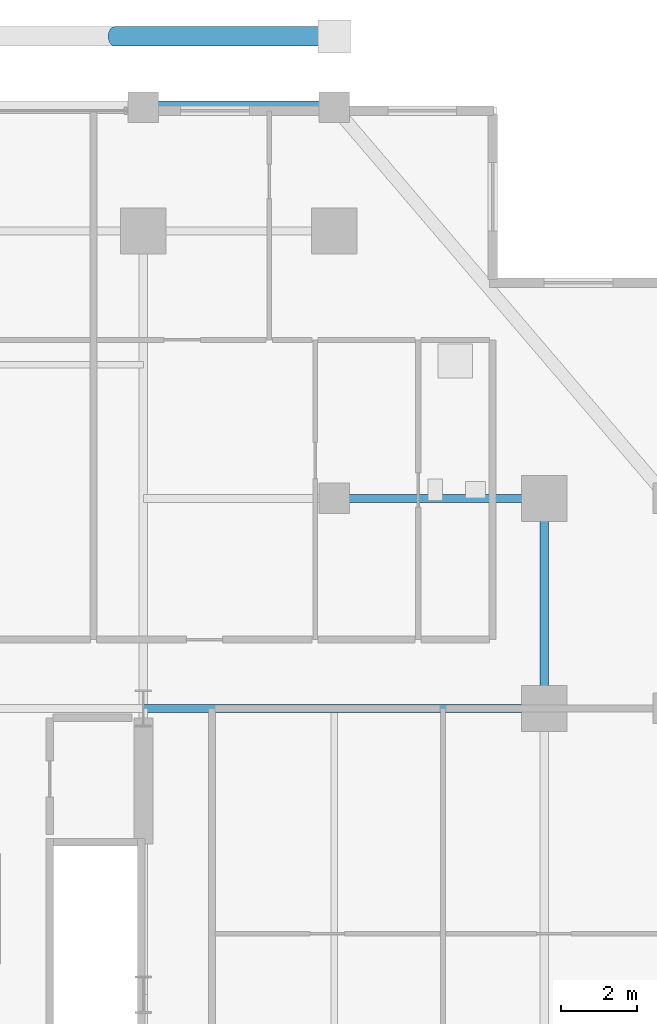
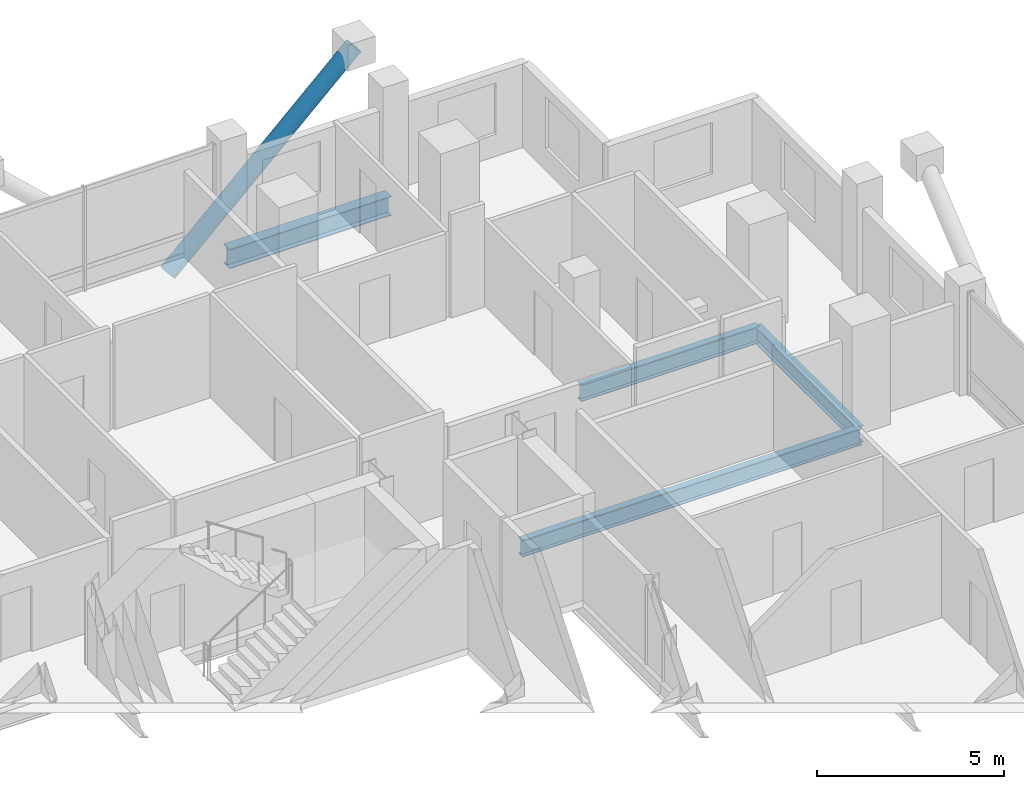
# One storey, part 14 of 22: 4 beams, 1 member.
"""IFC4 building model written with IfcOpenShell, lengths in metres."""

from ifc_helpers import new_model, si_unit, direction, frame, origin, origin_2d, place, context, subcontext, project, spatial, hollow_circle, i_section, extrude, material, material_profile, profile_set, type_object, element, save


model = new_model("IFC4")

# Units and contexts
model_context = context("Model", 3, precision=1e-05, world=origin(), true_north=direction((0.0, 1.0)))
body_context = subcontext(model_context, "Body", "Model", "MODEL_VIEW")
ifc_project = project(units=[si_unit("LENGTHUNIT", "METRE"), si_unit("AREAUNIT", "SQUARE_METRE"), si_unit("VOLUMEUNIT", "CUBIC_METRE"), si_unit("PLANEANGLEUNIT", "RADIAN"), si_unit("MASSUNIT", "GRAM", prefix="KILO")], contexts=[model_context])

# Site, building, storey
site_placement = place(None, origin())
site = spatial("IfcSite", under=ifc_project, at=site_placement, CompositionType="ELEMENT")
building_placement = place(site_placement, origin())
building = spatial("IfcBuilding", under=site, at=building_placement, Name="Barlavira Tower and Art Museum", CompositionType="ELEMENT")
storey_placement = place(building_placement, frame((0.0, 0.0, 106.199951171875)))
storey = spatial("IfcBuildingStorey", under=building, at=storey_placement, Name="L26", CompositionType="ELEMENT", Elevation=106.199951171875)

# Member
ifc_material = material(Name="Steel S355", Category="steel")
ifc_material_profile_1 = material_profile(ifc_material, hollow_circle(Radius=0.25390625, WallThickness=0.022216796875, at=origin_2d()), Name="CHS 508.0x22.2")
ifc_profile_set_1 = profile_set([ifc_material_profile_1], Name="Steel S355")
member_type = type_object("IfcMemberType", Name="Pale-Metal Exoskeleton Diagrid Tube CHS 508x22 Steel S355", PredefinedType="BRACE", material=ifc_profile_set_1)
member_placement = place(storey_placement, frame((5.75, 25.10009765625, -1.919921875), z_axis=(0.728950095515, 0.0, 0.684566839869), x_axis=(0.0, 1.0, 0.0)))
element("IfcMember", 1, at=member_placement, inside=storey, type_object=member_type, Name="L26 Exoskeleton Diagrid Tube N", PredefinedType="BRACE", context=body_context, shape_type="SweptSolid", body=[
    extrude(hollow_circle(Radius=0.25390625, WallThickness=0.022216796875, at=origin_2d()), origin(), (0.0, 0.0, 1.0), 7.887939453125),
])

# Beams
ifc_material_profile_2 = material_profile(ifc_material, i_section(OverallWidth=0.327880859375, OverallDepth=0.62890625, WebThickness=0.013916015625, FlangeThickness=0.021484375, at=origin_2d()), Name="W610x174.0")
ifc_profile_set_2 = profile_set([ifc_material_profile_2], Name="Steel S355")
beam_type_1 = type_object("IfcBeamType", Name="Perimeter Spandrel Edge Beam W610x174 Steel S355", PredefinedType="SPANDREL", material=ifc_profile_set_2)
beam_1_placement = place(storey_placement, frame((6.5, 23.25, -0.534423828125), z_axis=(1.0, 0.0, 0.0), x_axis=(0.0, 1.0, 0.0)))
element("IfcBeam", 2, at=beam_1_placement, inside=storey, type_object=beam_type_1, Name="L26 Spandrel 9", PredefinedType="SPANDREL", context=body_context, shape_type="SweptSolid", body=[
    extrude(i_section(OverallWidth=0.327880859375, OverallDepth=0.62890625, WebThickness=0.013916015625, FlangeThickness=0.021484375, at=origin_2d()), origin(), (0.0, 0.0, 1.0), 5.0),
])
ifc_material_profile_3 = material_profile(ifc_material, i_section(OverallWidth=0.214111328125, OverallDepth=0.549072265625, WebThickness=0.0146484375, FlangeThickness=0.023681640625, at=origin_2d()), Name="W530x138.0")
ifc_profile_set_3 = profile_set([ifc_material_profile_3], Name="Steel S355")
beam_type_2 = type_object("IfcBeamType", Name="Zone 1 Primary Floor Girder W530x138 Steel S355", PredefinedType="BEAM", material=ifc_profile_set_3)
beam_2_placement = place(storey_placement, frame((17.0, 7.5, -0.494384765625), z_axis=(0.0, 1.0, 0.0), x_axis=(-1.0, 0.0, 0.0)))
element("IfcBeam", 3, at=beam_2_placement, inside=storey, type_object=beam_type_2, Name="L26 Girder M-E3", PredefinedType="BEAM", context=body_context, shape_type="SweptSolid", body=[
    extrude(i_section(OverallWidth=0.214111328125, OverallDepth=0.549072265625, WebThickness=0.0146484375, FlangeThickness=0.023681640625, at=origin_2d()), origin(), (0.0, 0.0, 1.0), 5.5),
])
beam_3_placement = place(storey_placement, frame((6.5, 7.5, -0.494384765625), z_axis=(1.0, 0.0, 0.0), x_axis=(0.0, 1.0, 0.0)))
element("IfcBeam", 4, at=beam_3_placement, inside=storey, type_object=beam_type_2, Name="L26 Girder R-E2", PredefinedType="BEAM", context=body_context, shape_type="SweptSolid", body=[
    extrude(i_section(OverallWidth=0.214111328125, OverallDepth=0.549072265625, WebThickness=0.0146484375, FlangeThickness=0.023681640625, at=origin_2d()), origin(), (0.0, 0.0, 1.0), 10.5),
])
beam_4_placement = place(storey_placement, frame((11.5, 13.0, -0.494384765625), z_axis=(1.0, 0.0, 0.0), x_axis=(0.0, 1.0, 0.0)))
element("IfcBeam", 5, at=beam_4_placement, inside=storey, type_object=beam_type_2, Name="L26 Girder I-N4", PredefinedType="BEAM", context=body_context, shape_type="SweptSolid", body=[
    extrude(i_section(OverallWidth=0.214111328125, OverallDepth=0.549072265625, WebThickness=0.0146484375, FlangeThickness=0.023681640625, at=origin_2d()), origin(), (0.0, 0.0, 1.0), 5.5),
])

save(model, "model.ifc")
